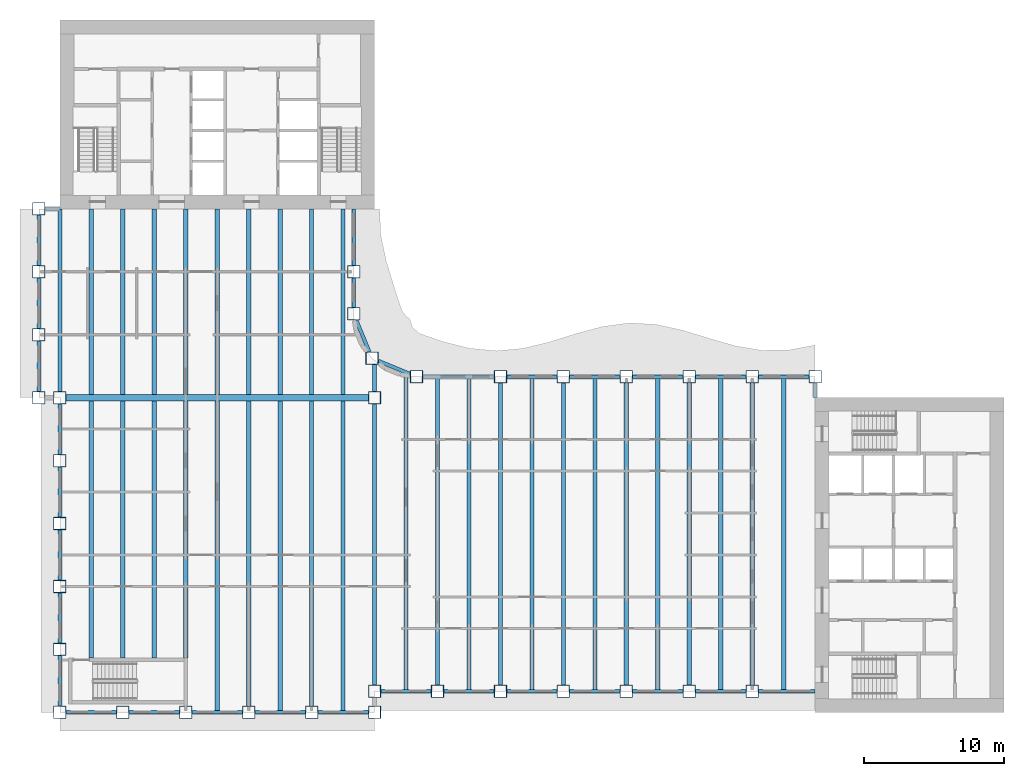
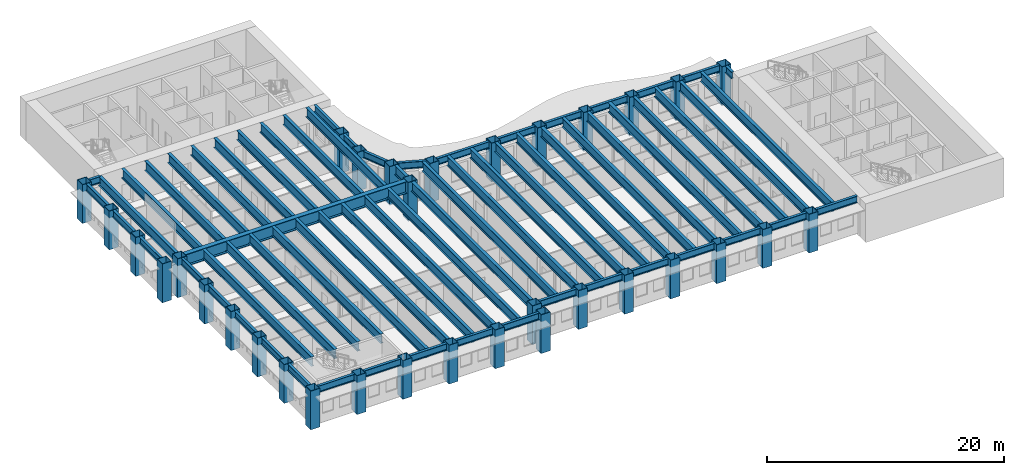
# One storey, part 1 of 16: 67 beams, 33 columns.
"""IFC4 building model written with IfcOpenShell, lengths in metres."""

from ifc_helpers import new_model, si_unit, direction, frame, origin, origin_2d, place, context, subcontext, project, spatial, hollow_rectangle, i_section, extrude, material, material_profile, profile_set, type_object, element, save


model = new_model("IFC4")

# Units and contexts
model_context = context("Model", 3, precision=1e-05, world=origin(), true_north=direction((0.0, 1.0)))
body_context = subcontext(model_context, "Body", "Model", "MODEL_VIEW")
ifc_project = project(units=[si_unit("LENGTHUNIT", "METRE"), si_unit("AREAUNIT", "SQUARE_METRE"), si_unit("VOLUMEUNIT", "CUBIC_METRE"), si_unit("PLANEANGLEUNIT", "RADIAN"), si_unit("MASSUNIT", "GRAM", prefix="KILO")], contexts=[model_context])

# Site, building, storey
site_placement = place(None, origin())
site = spatial("IfcSite", under=ifc_project, at=site_placement, CompositionType="ELEMENT")
building_placement = place(site_placement, origin())
building = spatial("IfcBuilding", under=site, at=building_placement, Name="Sennacour Bend Tower", CompositionType="ELEMENT")
storey_placement = place(building_placement, frame((0.0, 0.0, 167.0)))
storey = spatial("IfcBuildingStorey", under=building, at=storey_placement, Name="L38", CompositionType="ELEMENT", Elevation=167.0)

# Columns
ifc_material_1 = material(Name="Steel ASTM A572 Grade 50", Category="steel")
ifc_material_profile_1 = material_profile(ifc_material_1, hollow_rectangle(XDim=0.89990234375, YDim=0.89990234375, WallThickness=0.044921875, at=origin_2d()), Name="Steel ASTM A572 Grade 50", Category="steel")
ifc_profile_set_1 = profile_set([ifc_material_profile_1], Name="Steel ASTM A572 Grade 50")
column_type = type_object("IfcColumnType", Name="Box column 900", PredefinedType="COLUMN", material=ifc_profile_set_1)
for number, where, z_axis, x_axis, name in (
    (1, (-1.5, 22.5, -0.14990234375), (0.0, 0.0, 1.0), (1.0, 0.0, 0.0), "Perimeter column C3 L38-001"),
    (2, (-1.5, 27.0, -0.14990234375), (0.0, 0.0, 1.0), (1.0, 0.0, 0.0), "Perimeter column C3 L38-002"),
    (3, (-1.5, 31.5, -0.14990234375), (0.0, 0.0, 1.0), (1.0, 0.0, 0.0), "Perimeter column C3 L38-003"),
    (4, (-1.5, 36.0, -0.14990234375), (0.0, 0.0, 1.0), (1.0, 0.0, 0.0), "Perimeter column C3 L38-004"),
    (5, (0.0, 0.0, -0.14990234375), (0.0, 0.0, 1.0), (1.0, 0.0, 0.0), "Perimeter column C3 L38-005"),
    (6, (0.0, 4.5, -0.14990234375), (0.0, 0.0, 1.0), (1.0, 0.0, 0.0), "Perimeter column C3 L38-006"),
    (7, (0.0, 9.0, -0.14990234375), (0.0, 0.0, 1.0), (1.0, 0.0, 0.0), "Perimeter column C3 L38-007"),
    (8, (0.0, 13.5, -0.14990234375), (0.0, 0.0, 1.0), (1.0, 0.0, 0.0), "Perimeter column C3 L38-008"),
    (9, (0.0, 18.0, -0.14990234375), (0.0, 0.0, 1.0), (1.0, 0.0, 0.0), "Perimeter column C3 L38-009"),
    (10, (0.0, 22.5, -0.14990234375), (0.0, 0.0, 1.0), (1.0, 0.0, 0.0), "Perimeter column C3 L38-010"),
    (11, (4.5, 0.0, -0.14990234375), (0.0, 0.0, 1.0), (1.0, 0.0, 0.0), "Perimeter column C3 L38-011"),
    (12, (9.0, 0.0, -0.14990234375), (0.0, 0.0, 1.0), (1.0, 0.0, 0.0), "Perimeter column C3 L38-012"),
    (13, (13.5, 0.0, -0.14990234375), (0.0, 0.0, 1.0), (1.0, 0.0, 0.0), "Perimeter column C3 L38-013"),
    (14, (18.0, 0.0, -0.14990234375), (0.0, 0.0, 1.0), (1.0, 0.0, 0.0), "Perimeter column C3 L38-014"),
    (15, (21.0, 28.5, -0.14990234375), (0.0, 0.0, 1.0), (1.0, 0.0, 0.0), "Perimeter column C3 L38-015"),
    (16, (21.0, 31.5, -0.14990234375), (0.0, 0.0, 1.0), (1.0, 0.0, 0.0), "Perimeter column C3 L38-016"),
    (17, (22.318115234375, 25.318115234375, -0.14990234375), (0.0, 0.0, 1.0), (1.0, 0.0, 0.0), "Perimeter column C3 L38-017"),
    (18, (22.5, 0.0, -0.14990234375), (0.0, 0.0, 1.0), (1.0, 0.0, 0.0), "Perimeter column C3 L38-018"),
    (19, (22.5, 1.5, -0.14990234375), (0.0, 0.0, 1.0), (1.0, 0.0, 0.0), "Perimeter column C3 L38-019"),
    (20, (22.5, 22.5, -0.14990234375), (0.0, 0.0, 1.0), (1.0, 0.0, 0.0), "Knuckle column C3 L38-020"),
    (21, (25.5, 24.0, -0.14990234375), (0.0, 0.0, 1.0), (1.0, 0.0, 0.0), "Perimeter column C3 L38-021"),
    (22, (27.0, 1.5, -0.14990234375), (0.0, 0.0, 1.0), (1.0, 0.0, 0.0), "Perimeter column C3 L38-022"),
    (23, (31.5, 1.5, -0.14990234375), (0.0, 0.0, 1.0), (1.0, 0.0, 0.0), "Perimeter column C3 L38-023"),
    (24, (31.5, 24.0, -0.14990234375), (0.0, 0.0, 1.0), (1.0, 0.0, 0.0), "Perimeter column C3 L38-024"),
    (25, (36.0, 1.5, -0.14990234375), (0.0, 0.0, 1.0), (1.0, 0.0, 0.0), "Perimeter column C3 L38-025"),
    (26, (36.0, 24.0, -0.14990234375), (0.0, 0.0, 1.0), (1.0, 0.0, 0.0), "Perimeter column C3 L38-026"),
    (27, (40.5, 1.5, -0.14990234375), (0.0, 0.0, 1.0), (1.0, 0.0, 0.0), "Perimeter column C3 L38-027"),
    (28, (40.5, 24.0, -0.14990234375), (0.0, 0.0, 1.0), (1.0, 0.0, 0.0), "Perimeter column C3 L38-028"),
    (29, (45.0, 1.5, -0.14990234375), (0.0, 0.0, 1.0), (1.0, 0.0, 0.0), "Perimeter column C3 L38-029"),
    (30, (45.0, 24.0, -0.14990234375), (0.0, 0.0, 1.0), (1.0, 0.0, 0.0), "Perimeter column C3 L38-030"),
    (31, (49.5, 1.5, -0.14990234375), (0.0, 0.0, 1.0), (1.0, 0.0, 0.0), "Perimeter column C3 L38-031"),
    (32, (49.5, 24.0, -0.14990234375), (0.0, 0.0, 1.0), (1.0, 0.0, 0.0), "Perimeter column C3 L38-032"),
    (33, (54.0, 24.0, -0.14990234375), (0.0, 0.0, 1.0), (1.0, 0.0, 0.0), "Perimeter column C3 L38-033"),
):
    element("IfcColumn", number, at=place(storey_placement, frame(where, z_axis=z_axis, x_axis=x_axis)), inside=storey, type_object=column_type, Name=name, PredefinedType="COLUMN", context=body_context, shape_type="SweptSolid", body=[
        extrude(hollow_rectangle(XDim=0.89990234375, YDim=0.89990234375, WallThickness=0.044921875, at=origin_2d()), origin(), (0.0, 0.0, 1.0), 4.0),
    ])

# Beams
ifc_material_2 = material(Name="Steel ASTM A992 Grade 50", Category="steel")
ifc_material_profile_2 = material_profile(ifc_material_2, i_section(OverallWidth=0.300048828125, OverallDepth=0.97998046875, WebThickness=0.0166015625, FlangeThickness=0.026123046875, FilletRadius=0.02978515625, at=origin_2d()), Name="Steel ASTM A992 Grade 50", Category="steel")
ifc_profile_set_2 = profile_set([ifc_material_profile_2], Name="Steel ASTM A992 Grade 50")
beam_type_1 = type_object("IfcBeamType", Name="Floor beam W1000X249", PredefinedType="BEAM", material=ifc_profile_set_2)
beam_1_placement = place(storey_placement, frame((0.0, 22.949951171875, 3.360107421875), z_axis=(0.0, 1.0, 0.0), x_axis=(-1.0, 0.0, 0.0)))
element("IfcBeam", 34, at=beam_1_placement, inside=storey, type_object=beam_type_1, Name="Floor beam FBM2 L39-001", PredefinedType="BEAM", context=body_context, shape_type="SweptSolid", body=[
    extrude(i_section(OverallWidth=0.300048828125, OverallDepth=0.97998046875, WebThickness=0.0166015625, FlangeThickness=0.026123046875, FilletRadius=0.02978515625, at=origin_2d()), origin(), (0.0, 0.0, 1.0), 13.050048828125),
])
beam_2_placement = place(storey_placement, frame((2.25, 3.875, 3.360107421875), z_axis=(0.0, 1.0, 0.0), x_axis=(-1.0, 0.0, 0.0)))
element("IfcBeam", 35, at=beam_2_placement, inside=storey, type_object=beam_type_1, Name="Floor beam FBM2 L39-002", PredefinedType="BEAM", context=body_context, shape_type="SweptSolid", body=[
    extrude(i_section(OverallWidth=0.300048828125, OverallDepth=0.97998046875, WebThickness=0.0166015625, FlangeThickness=0.026123046875, FilletRadius=0.02978515625, at=origin_2d()), origin(), (0.0, 0.0, 1.0), 18.39990234375),
])
beam_3_placement = place(storey_placement, frame((2.25, 22.72509765625, 3.360107421875), z_axis=(0.0, 1.0, 0.0), x_axis=(-1.0, 0.0, 0.0)))
element("IfcBeam", 36, at=beam_3_placement, inside=storey, type_object=beam_type_1, Name="Floor beam FBM2 L39-003", PredefinedType="BEAM", context=body_context, shape_type="SweptSolid", body=[
    extrude(i_section(OverallWidth=0.300048828125, OverallDepth=0.97998046875, WebThickness=0.0166015625, FlangeThickness=0.026123046875, FilletRadius=0.02978515625, at=origin_2d()), origin(), (0.0, 0.0, 1.0), 13.27490234375),
])
beam_4_placement = place(storey_placement, frame((4.5, 3.875, 3.360107421875), z_axis=(0.0, 1.0, 0.0), x_axis=(-1.0, 0.0, 0.0)))
element("IfcBeam", 37, at=beam_4_placement, inside=storey, type_object=beam_type_1, Name="Floor beam FBM2 L39-004", PredefinedType="BEAM", context=body_context, shape_type="SweptSolid", body=[
    extrude(i_section(OverallWidth=0.300048828125, OverallDepth=0.97998046875, WebThickness=0.0166015625, FlangeThickness=0.026123046875, FilletRadius=0.02978515625, at=origin_2d()), origin(), (0.0, 0.0, 1.0), 18.39990234375),
])
beam_5_placement = place(storey_placement, frame((4.5, 22.72509765625, 3.360107421875), z_axis=(0.0, 1.0, 0.0), x_axis=(-1.0, 0.0, 0.0)))
element("IfcBeam", 38, at=beam_5_placement, inside=storey, type_object=beam_type_1, Name="Floor beam FBM2 L39-005", PredefinedType="BEAM", context=body_context, shape_type="SweptSolid", body=[
    extrude(i_section(OverallWidth=0.300048828125, OverallDepth=0.97998046875, WebThickness=0.0166015625, FlangeThickness=0.026123046875, FilletRadius=0.02978515625, at=origin_2d()), origin(), (0.0, 0.0, 1.0), 13.27490234375),
])
beam_6_placement = place(storey_placement, frame((6.75, 3.875, 3.360107421875), z_axis=(0.0, 1.0, 0.0), x_axis=(-1.0, 0.0, 0.0)))
element("IfcBeam", 39, at=beam_6_placement, inside=storey, type_object=beam_type_1, Name="Floor beam FBM2 L39-006", PredefinedType="BEAM", context=body_context, shape_type="SweptSolid", body=[
    extrude(i_section(OverallWidth=0.300048828125, OverallDepth=0.97998046875, WebThickness=0.0166015625, FlangeThickness=0.026123046875, FilletRadius=0.02978515625, at=origin_2d()), origin(), (0.0, 0.0, 1.0), 18.39990234375),
])
beam_7_placement = place(storey_placement, frame((6.75, 22.72509765625, 3.360107421875), z_axis=(0.0, 1.0, 0.0), x_axis=(-1.0, 0.0, 0.0)))
element("IfcBeam", 40, at=beam_7_placement, inside=storey, type_object=beam_type_1, Name="Floor beam FBM2 L39-007", PredefinedType="BEAM", context=body_context, shape_type="SweptSolid", body=[
    extrude(i_section(OverallWidth=0.300048828125, OverallDepth=0.97998046875, WebThickness=0.0166015625, FlangeThickness=0.026123046875, FilletRadius=0.02978515625, at=origin_2d()), origin(), (0.0, 0.0, 1.0), 13.27490234375),
])
beam_8_placement = place(storey_placement, frame((9.0, 3.875, 3.360107421875), z_axis=(0.0, 1.0, 0.0), x_axis=(-1.0, 0.0, 0.0)))
element("IfcBeam", 41, at=beam_8_placement, inside=storey, type_object=beam_type_1, Name="Floor beam FBM2 L39-008", PredefinedType="BEAM", context=body_context, shape_type="SweptSolid", body=[
    extrude(i_section(OverallWidth=0.300048828125, OverallDepth=0.97998046875, WebThickness=0.0166015625, FlangeThickness=0.026123046875, FilletRadius=0.02978515625, at=origin_2d()), origin(), (0.0, 0.0, 1.0), 18.39990234375),
])
beam_9_placement = place(storey_placement, frame((9.0, 22.72509765625, 3.360107421875), z_axis=(0.0, 1.0, 0.0), x_axis=(-1.0, 0.0, 0.0)))
element("IfcBeam", 42, at=beam_9_placement, inside=storey, type_object=beam_type_1, Name="Floor beam FBM2 L39-009", PredefinedType="BEAM", context=body_context, shape_type="SweptSolid", body=[
    extrude(i_section(OverallWidth=0.300048828125, OverallDepth=0.97998046875, WebThickness=0.0166015625, FlangeThickness=0.026123046875, FilletRadius=0.02978515625, at=origin_2d()), origin(), (0.0, 0.0, 1.0), 13.27490234375),
])
beam_10_placement = place(storey_placement, frame((11.25, 0.126953125, 3.360107421875), z_axis=(0.0, 1.0, 0.0), x_axis=(-1.0, 0.0, 0.0)))
element("IfcBeam", 43, at=beam_10_placement, inside=storey, type_object=beam_type_1, Name="Floor beam FBM2 L39-010", PredefinedType="BEAM", context=body_context, shape_type="SweptSolid", body=[
    extrude(i_section(OverallWidth=0.300048828125, OverallDepth=0.97998046875, WebThickness=0.0166015625, FlangeThickness=0.026123046875, FilletRadius=0.02978515625, at=origin_2d()), origin(), (0.0, 0.0, 1.0), 22.14794921875),
])
beam_11_placement = place(storey_placement, frame((11.25, 22.72509765625, 3.360107421875), z_axis=(0.0, 1.0, 0.0), x_axis=(-1.0, 0.0, 0.0)))
element("IfcBeam", 44, at=beam_11_placement, inside=storey, type_object=beam_type_1, Name="Floor beam FBM2 L39-011", PredefinedType="BEAM", context=body_context, shape_type="SweptSolid", body=[
    extrude(i_section(OverallWidth=0.300048828125, OverallDepth=0.97998046875, WebThickness=0.0166015625, FlangeThickness=0.026123046875, FilletRadius=0.02978515625, at=origin_2d()), origin(), (0.0, 0.0, 1.0), 13.27490234375),
])
beam_12_placement = place(storey_placement, frame((13.5, 0.449951171875, 3.360107421875), z_axis=(0.0, 1.0, 0.0), x_axis=(-1.0, 0.0, 0.0)))
element("IfcBeam", 45, at=beam_12_placement, inside=storey, type_object=beam_type_1, Name="Floor beam FBM2 L39-012", PredefinedType="BEAM", context=body_context, shape_type="SweptSolid", body=[
    extrude(i_section(OverallWidth=0.300048828125, OverallDepth=0.97998046875, WebThickness=0.0166015625, FlangeThickness=0.026123046875, FilletRadius=0.02978515625, at=origin_2d()), origin(), (0.0, 0.0, 1.0), 21.824951171875),
])
beam_13_placement = place(storey_placement, frame((13.5, 22.72509765625, 3.360107421875), z_axis=(0.0, 1.0, 0.0), x_axis=(-1.0, 0.0, 0.0)))
element("IfcBeam", 46, at=beam_13_placement, inside=storey, type_object=beam_type_1, Name="Floor beam FBM2 L39-013", PredefinedType="BEAM", context=body_context, shape_type="SweptSolid", body=[
    extrude(i_section(OverallWidth=0.300048828125, OverallDepth=0.97998046875, WebThickness=0.0166015625, FlangeThickness=0.026123046875, FilletRadius=0.02978515625, at=origin_2d()), origin(), (0.0, 0.0, 1.0), 13.27490234375),
])
beam_14_placement = place(storey_placement, frame((15.75, 0.126953125, 3.360107421875), z_axis=(0.0, 1.0, 0.0), x_axis=(-1.0, 0.0, 0.0)))
element("IfcBeam", 47, at=beam_14_placement, inside=storey, type_object=beam_type_1, Name="Floor beam FBM2 L39-014", PredefinedType="BEAM", context=body_context, shape_type="SweptSolid", body=[
    extrude(i_section(OverallWidth=0.300048828125, OverallDepth=0.97998046875, WebThickness=0.0166015625, FlangeThickness=0.026123046875, FilletRadius=0.02978515625, at=origin_2d()), origin(), (0.0, 0.0, 1.0), 22.14794921875),
])
beam_15_placement = place(storey_placement, frame((15.75, 22.72509765625, 3.360107421875), z_axis=(0.0, 1.0, 0.0), x_axis=(-1.0, 0.0, 0.0)))
element("IfcBeam", 48, at=beam_15_placement, inside=storey, type_object=beam_type_1, Name="Floor beam FBM2 L39-015", PredefinedType="BEAM", context=body_context, shape_type="SweptSolid", body=[
    extrude(i_section(OverallWidth=0.300048828125, OverallDepth=0.97998046875, WebThickness=0.0166015625, FlangeThickness=0.026123046875, FilletRadius=0.02978515625, at=origin_2d()), origin(), (0.0, 0.0, 1.0), 13.27490234375),
])
beam_16_placement = place(storey_placement, frame((18.0, 0.449951171875, 3.360107421875), z_axis=(0.0, 1.0, 0.0), x_axis=(-1.0, 0.0, 0.0)))
element("IfcBeam", 49, at=beam_16_placement, inside=storey, type_object=beam_type_1, Name="Floor beam FBM2 L39-016", PredefinedType="BEAM", context=body_context, shape_type="SweptSolid", body=[
    extrude(i_section(OverallWidth=0.300048828125, OverallDepth=0.97998046875, WebThickness=0.0166015625, FlangeThickness=0.026123046875, FilletRadius=0.02978515625, at=origin_2d()), origin(), (0.0, 0.0, 1.0), 21.824951171875),
])
beam_17_placement = place(storey_placement, frame((18.0, 22.72509765625, 3.360107421875), z_axis=(0.0, 1.0, 0.0), x_axis=(-1.0, 0.0, 0.0)))
element("IfcBeam", 50, at=beam_17_placement, inside=storey, type_object=beam_type_1, Name="Floor beam FBM2 L39-017", PredefinedType="BEAM", context=body_context, shape_type="SweptSolid", body=[
    extrude(i_section(OverallWidth=0.300048828125, OverallDepth=0.97998046875, WebThickness=0.0166015625, FlangeThickness=0.026123046875, FilletRadius=0.02978515625, at=origin_2d()), origin(), (0.0, 0.0, 1.0), 13.27490234375),
])
beam_18_placement = place(storey_placement, frame((20.25, 0.126953125, 3.360107421875), z_axis=(0.0, 1.0, 0.0), x_axis=(-1.0, 0.0, 0.0)))
element("IfcBeam", 51, at=beam_18_placement, inside=storey, type_object=beam_type_1, Name="Floor beam FBM2 L39-018", PredefinedType="BEAM", context=body_context, shape_type="SweptSolid", body=[
    extrude(i_section(OverallWidth=0.300048828125, OverallDepth=0.97998046875, WebThickness=0.0166015625, FlangeThickness=0.026123046875, FilletRadius=0.02978515625, at=origin_2d()), origin(), (0.0, 0.0, 1.0), 22.14794921875),
])
beam_19_placement = place(storey_placement, frame((20.25, 22.72509765625, 3.360107421875), z_axis=(0.0, 1.0, 0.0), x_axis=(-1.0, 0.0, 0.0)))
element("IfcBeam", 52, at=beam_19_placement, inside=storey, type_object=beam_type_1, Name="Floor beam FBM2 L39-019", PredefinedType="BEAM", context=body_context, shape_type="SweptSolid", body=[
    extrude(i_section(OverallWidth=0.300048828125, OverallDepth=0.97998046875, WebThickness=0.0166015625, FlangeThickness=0.026123046875, FilletRadius=0.02978515625, at=origin_2d()), origin(), (0.0, 0.0, 1.0), 13.27490234375),
])
beam_20_placement = place(storey_placement, frame((22.5, 1.949951171875, 3.360107421875), z_axis=(0.0, 1.0, 0.0), x_axis=(-1.0, 0.0, 0.0)))
element("IfcBeam", 53, at=beam_20_placement, inside=storey, type_object=beam_type_1, Name="Floor beam FBM2 L39-020", PredefinedType="BEAM", context=body_context, shape_type="SweptSolid", body=[
    extrude(i_section(OverallWidth=0.300048828125, OverallDepth=0.97998046875, WebThickness=0.0166015625, FlangeThickness=0.026123046875, FilletRadius=0.02978515625, at=origin_2d()), origin(), (0.0, 0.0, 1.0), 20.10009765625),
])
beam_21_placement = place(storey_placement, frame((22.5, 22.949951171875, 3.360107421875), z_axis=(0.0, 1.0, 0.0), x_axis=(-1.0, 0.0, 0.0)))
element("IfcBeam", 54, at=beam_21_placement, inside=storey, type_object=beam_type_1, Name="Floor beam FBM2 L39-021", PredefinedType="BEAM", context=body_context, shape_type="SweptSolid", body=[
    extrude(i_section(OverallWidth=0.300048828125, OverallDepth=0.97998046875, WebThickness=0.0166015625, FlangeThickness=0.026123046875, FilletRadius=0.02978515625, at=origin_2d()), origin(), (0.0, 0.0, 1.0), 1.91796875),
])
beam_22_placement = place(storey_placement, frame((24.75, 1.626953125, 3.360107421875), z_axis=(0.0, 1.0, 0.0), x_axis=(-1.0, 0.0, 0.0)))
element("IfcBeam", 55, at=beam_22_placement, inside=storey, type_object=beam_type_1, Name="Floor beam FBM2 L39-022", PredefinedType="BEAM", context=body_context, shape_type="SweptSolid", body=[
    extrude(i_section(OverallWidth=0.300048828125, OverallDepth=0.97998046875, WebThickness=0.0166015625, FlangeThickness=0.026123046875, FilletRadius=0.02978515625, at=origin_2d()), origin(), (0.0, 0.0, 1.0), 22.546142578125),
])
beam_23_placement = place(storey_placement, frame((27.0, 1.949951171875, 3.360107421875), z_axis=(0.0, 1.0, 0.0), x_axis=(-1.0, 0.0, 0.0)))
element("IfcBeam", 56, at=beam_23_placement, inside=storey, type_object=beam_type_1, Name="Floor beam FBM2 L39-023", PredefinedType="BEAM", context=body_context, shape_type="SweptSolid", body=[
    extrude(i_section(OverallWidth=0.300048828125, OverallDepth=0.97998046875, WebThickness=0.0166015625, FlangeThickness=0.026123046875, FilletRadius=0.02978515625, at=origin_2d()), origin(), (0.0, 0.0, 1.0), 21.923095703125),
])
beam_24_placement = place(storey_placement, frame((29.25, 1.626953125, 3.360107421875), z_axis=(0.0, 1.0, 0.0), x_axis=(-1.0, 0.0, 0.0)))
element("IfcBeam", 57, at=beam_24_placement, inside=storey, type_object=beam_type_1, Name="Floor beam FBM2 L39-024", PredefinedType="BEAM", context=body_context, shape_type="SweptSolid", body=[
    extrude(i_section(OverallWidth=0.300048828125, OverallDepth=0.97998046875, WebThickness=0.0166015625, FlangeThickness=0.026123046875, FilletRadius=0.02978515625, at=origin_2d()), origin(), (0.0, 0.0, 1.0), 22.24609375),
])
beam_25_placement = place(storey_placement, frame((31.5, 1.949951171875, 3.360107421875), z_axis=(0.0, 1.0, 0.0), x_axis=(-1.0, 0.0, 0.0)))
element("IfcBeam", 58, at=beam_25_placement, inside=storey, type_object=beam_type_1, Name="Floor beam FBM2 L39-025", PredefinedType="BEAM", context=body_context, shape_type="SweptSolid", body=[
    extrude(i_section(OverallWidth=0.300048828125, OverallDepth=0.97998046875, WebThickness=0.0166015625, FlangeThickness=0.026123046875, FilletRadius=0.02978515625, at=origin_2d()), origin(), (0.0, 0.0, 1.0), 21.60009765625),
])
beam_26_placement = place(storey_placement, frame((33.75, 1.626953125, 3.360107421875), z_axis=(0.0, 1.0, 0.0), x_axis=(-1.0, 0.0, 0.0)))
element("IfcBeam", 59, at=beam_26_placement, inside=storey, type_object=beam_type_1, Name="Floor beam FBM2 L39-026", PredefinedType="BEAM", context=body_context, shape_type="SweptSolid", body=[
    extrude(i_section(OverallWidth=0.300048828125, OverallDepth=0.97998046875, WebThickness=0.0166015625, FlangeThickness=0.026123046875, FilletRadius=0.02978515625, at=origin_2d()), origin(), (0.0, 0.0, 1.0), 22.24609375),
])
beam_27_placement = place(storey_placement, frame((36.0, 1.949951171875, 3.360107421875), z_axis=(0.0, 1.0, 0.0), x_axis=(-1.0, 0.0, 0.0)))
element("IfcBeam", 60, at=beam_27_placement, inside=storey, type_object=beam_type_1, Name="Floor beam FBM2 L39-027", PredefinedType="BEAM", context=body_context, shape_type="SweptSolid", body=[
    extrude(i_section(OverallWidth=0.300048828125, OverallDepth=0.97998046875, WebThickness=0.0166015625, FlangeThickness=0.026123046875, FilletRadius=0.02978515625, at=origin_2d()), origin(), (0.0, 0.0, 1.0), 21.60009765625),
])
beam_28_placement = place(storey_placement, frame((38.25, 1.626953125, 3.360107421875), z_axis=(0.0, 1.0, 0.0), x_axis=(-1.0, 0.0, 0.0)))
element("IfcBeam", 61, at=beam_28_placement, inside=storey, type_object=beam_type_1, Name="Floor beam FBM2 L39-028", PredefinedType="BEAM", context=body_context, shape_type="SweptSolid", body=[
    extrude(i_section(OverallWidth=0.300048828125, OverallDepth=0.97998046875, WebThickness=0.0166015625, FlangeThickness=0.026123046875, FilletRadius=0.02978515625, at=origin_2d()), origin(), (0.0, 0.0, 1.0), 22.24609375),
])
beam_29_placement = place(storey_placement, frame((40.5, 1.949951171875, 3.360107421875), z_axis=(0.0, 1.0, 0.0), x_axis=(-1.0, 0.0, 0.0)))
element("IfcBeam", 62, at=beam_29_placement, inside=storey, type_object=beam_type_1, Name="Floor beam FBM2 L39-029", PredefinedType="BEAM", context=body_context, shape_type="SweptSolid", body=[
    extrude(i_section(OverallWidth=0.300048828125, OverallDepth=0.97998046875, WebThickness=0.0166015625, FlangeThickness=0.026123046875, FilletRadius=0.02978515625, at=origin_2d()), origin(), (0.0, 0.0, 1.0), 21.60009765625),
])
beam_30_placement = place(storey_placement, frame((42.75, 1.626953125, 3.360107421875), z_axis=(0.0, 1.0, 0.0), x_axis=(-1.0, 0.0, 0.0)))
element("IfcBeam", 63, at=beam_30_placement, inside=storey, type_object=beam_type_1, Name="Floor beam FBM2 L39-030", PredefinedType="BEAM", context=body_context, shape_type="SweptSolid", body=[
    extrude(i_section(OverallWidth=0.300048828125, OverallDepth=0.97998046875, WebThickness=0.0166015625, FlangeThickness=0.026123046875, FilletRadius=0.02978515625, at=origin_2d()), origin(), (0.0, 0.0, 1.0), 22.24609375),
])
beam_31_placement = place(storey_placement, frame((45.0, 1.949951171875, 3.360107421875), z_axis=(0.0, 1.0, 0.0), x_axis=(-1.0, 0.0, 0.0)))
element("IfcBeam", 64, at=beam_31_placement, inside=storey, type_object=beam_type_1, Name="Floor beam FBM2 L39-031", PredefinedType="BEAM", context=body_context, shape_type="SweptSolid", body=[
    extrude(i_section(OverallWidth=0.300048828125, OverallDepth=0.97998046875, WebThickness=0.0166015625, FlangeThickness=0.026123046875, FilletRadius=0.02978515625, at=origin_2d()), origin(), (0.0, 0.0, 1.0), 21.60009765625),
])
beam_32_placement = place(storey_placement, frame((47.25, 1.626953125, 3.360107421875), z_axis=(0.0, 1.0, 0.0), x_axis=(-1.0, 0.0, 0.0)))
element("IfcBeam", 65, at=beam_32_placement, inside=storey, type_object=beam_type_1, Name="Floor beam FBM2 L39-032", PredefinedType="BEAM", context=body_context, shape_type="SweptSolid", body=[
    extrude(i_section(OverallWidth=0.300048828125, OverallDepth=0.97998046875, WebThickness=0.0166015625, FlangeThickness=0.026123046875, FilletRadius=0.02978515625, at=origin_2d()), origin(), (0.0, 0.0, 1.0), 22.24609375),
])
beam_33_placement = place(storey_placement, frame((49.5, 1.949951171875, 3.360107421875), z_axis=(0.0, 1.0, 0.0), x_axis=(-1.0, 0.0, 0.0)))
element("IfcBeam", 66, at=beam_33_placement, inside=storey, type_object=beam_type_1, Name="Floor beam FBM2 L39-033", PredefinedType="BEAM", context=body_context, shape_type="SweptSolid", body=[
    extrude(i_section(OverallWidth=0.300048828125, OverallDepth=0.97998046875, WebThickness=0.0166015625, FlangeThickness=0.026123046875, FilletRadius=0.02978515625, at=origin_2d()), origin(), (0.0, 0.0, 1.0), 21.60009765625),
])
beam_34_placement = place(storey_placement, frame((51.75, 1.626953125, 3.360107421875), z_axis=(0.0, 1.0, 0.0), x_axis=(-1.0, 0.0, 0.0)))
element("IfcBeam", 67, at=beam_34_placement, inside=storey, type_object=beam_type_1, Name="Floor beam FBM2 L39-034", PredefinedType="BEAM", context=body_context, shape_type="SweptSolid", body=[
    extrude(i_section(OverallWidth=0.300048828125, OverallDepth=0.97998046875, WebThickness=0.0166015625, FlangeThickness=0.026123046875, FilletRadius=0.02978515625, at=origin_2d()), origin(), (0.0, 0.0, 1.0), 22.24609375),
])
ifc_material_profile_3 = material_profile(ifc_material_1, i_section(OverallWidth=0.449951171875, OverallDepth=1.25, WebThickness=0.028076171875, FlangeThickness=0.050048828125, at=origin_2d()), Name="Steel ASTM A572 Grade 50", Category="steel")
ifc_profile_set_3 = profile_set([ifc_material_profile_3], Name="Steel ASTM A572 Grade 50")
beam_type_2 = type_object("IfcBeamType", Name="Knuckle girder 1250", PredefinedType="USERDEFINED", material=ifc_profile_set_3)
beam_35_placement = place(storey_placement, frame((0.449951171875, 22.5, 3.22509765625), z_axis=(1.0, 0.0, 0.0), x_axis=(0.0, 1.0, 0.0)))
element("IfcBeam", 68, at=beam_35_placement, inside=storey, type_object=beam_type_2, Name="Knuckle girder GK L39-001", ObjectType="KNUCKLE GIRDER", PredefinedType="USERDEFINED", context=body_context, shape_type="SweptSolid", body=[
    extrude(i_section(OverallWidth=0.449951171875, OverallDepth=1.25, WebThickness=0.028076171875, FlangeThickness=0.050048828125, at=origin_2d()), origin(), (0.0, 0.0, 1.0), 21.60009765625),
])
ifc_material_profile_4 = material_profile(ifc_material_2, i_section(OverallWidth=0.25390625, OverallDepth=0.700927734375, WebThickness=0.015380859375, FlangeThickness=0.02783203125, FilletRadius=0.015380859375, at=origin_2d()), Name="Steel ASTM A992 Grade 50", Category="steel")
ifc_profile_set_4 = profile_set([ifc_material_profile_4], Name="Steel ASTM A992 Grade 50")
beam_type_3 = type_object("IfcBeamType", Name="Spandrel beam W690X192", PredefinedType="SPANDREL", material=ifc_profile_set_4)
for number, where, z_axis, x_axis, name in (
    (69, (0.0, 0.449951171875, 3.49951171875), (0.0, 1.0, 0.0), (-1.0, 0.0, 0.0), "Spandrel beam SP4 L39-001"),
    (70, (0.0, 4.949951171875, 3.49951171875), (0.0, 1.0, 0.0), (-1.0, 0.0, 0.0), "Spandrel beam SP4 L39-002"),
    (71, (0.0, 9.449951171875, 3.49951171875), (0.0, 1.0, 0.0), (-1.0, 0.0, 0.0), "Spandrel beam SP4 L39-003"),
    (72, (0.0, 13.949951171875, 3.49951171875), (0.0, 1.0, 0.0), (-1.0, 0.0, 0.0), "Spandrel beam SP4 L39-004"),
    (73, (0.0, 18.449951171875, 3.49951171875), (0.0, 1.0, 0.0), (-1.0, 0.0, 0.0), "Spandrel beam SP4 L39-005"),
    (74, (-1.5, 22.949951171875, 3.49951171875), (0.0, 1.0, 0.0), (-1.0, 0.0, 0.0), "Spandrel beam SP4 L39-006"),
    (75, (-1.5, 27.449951171875, 3.49951171875), (0.0, 1.0, 0.0), (-1.0, 0.0, 0.0), "Spandrel beam SP4 L39-007"),
    (76, (-1.5, 31.949951171875, 3.49951171875), (0.0, 1.0, 0.0), (-1.0, 0.0, 0.0), "Spandrel beam SP4 L39-008"),
):
    element("IfcBeam", number, at=place(storey_placement, frame(where, z_axis=z_axis, x_axis=x_axis)), inside=storey, type_object=beam_type_3, Name=name, PredefinedType="SPANDREL", context=body_context, shape_type="SweptSolid", body=[
        extrude(i_section(OverallWidth=0.25390625, OverallDepth=0.700927734375, WebThickness=0.015380859375, FlangeThickness=0.02783203125, FilletRadius=0.015380859375, at=origin_2d()), origin(), (0.0, 0.0, 1.0), 3.60009765625),
    ])
beam_36_placement = place(storey_placement, frame((-1.050048828125, 36.0, 3.49951171875), z_axis=(1.0, 0.0, 0.0), x_axis=(0.0, 1.0, 0.0)))
element("IfcBeam", 77, at=beam_36_placement, inside=storey, type_object=beam_type_3, Name="Spandrel beam SP4 L39-009", PredefinedType="SPANDREL", context=body_context, shape_type="SweptSolid", body=[
    extrude(i_section(OverallWidth=0.25390625, OverallDepth=0.700927734375, WebThickness=0.015380859375, FlangeThickness=0.02783203125, FilletRadius=0.015380859375, at=origin_2d()), origin(), (0.0, 0.0, 1.0), 1.050048828125),
])
beam_37_placement = place(storey_placement, frame((21.0, 36.0, 3.49951171875), z_axis=(0.0, -1.0, 0.0), x_axis=(1.0, 0.0, 0.0)))
element("IfcBeam", 78, at=beam_37_placement, inside=storey, type_object=beam_type_3, Name="Spandrel beam SP4 L39-010", PredefinedType="SPANDREL", context=body_context, shape_type="SweptSolid", body=[
    extrude(i_section(OverallWidth=0.25390625, OverallDepth=0.700927734375, WebThickness=0.015380859375, FlangeThickness=0.02783203125, FilletRadius=0.015380859375, at=origin_2d()), origin(), (0.0, 0.0, 1.0), 4.050048828125),
])
beam_38_placement = place(storey_placement, frame((21.0, 31.050048828125, 3.49951171875), z_axis=(0.0, -1.0, 0.0), x_axis=(1.0, 0.0, 0.0)))
element("IfcBeam", 79, at=beam_38_placement, inside=storey, type_object=beam_type_3, Name="Spandrel beam SP4 L39-011", PredefinedType="SPANDREL", context=body_context, shape_type="SweptSolid", body=[
    extrude(i_section(OverallWidth=0.25390625, OverallDepth=0.700927734375, WebThickness=0.015380859375, FlangeThickness=0.02783203125, FilletRadius=0.015380859375, at=origin_2d()), origin(), (0.0, 0.0, 1.0), 2.10009765625),
])
for number, where, z_axis, x_axis, name in (
    (80, (21.186279296875, 28.050048828125, 3.49951171875), (0.382712608723, -0.923867446728, 0.0), (0.923867446728, 0.382712608723, 0.0), "Spandrel beam SP4 L39-012"),
    (81, (22.76806640625, 25.131591796875, 3.49951171875), (0.923867446728, -0.382712608723, 0.0), (0.382712608723, 0.923867446728, 0.0), "Spandrel beam SP4 L39-013"),
):
    element("IfcBeam", number, at=place(storey_placement, frame(where, z_axis=z_axis, x_axis=x_axis)), inside=storey, type_object=beam_type_3, Name=name, PredefinedType="SPANDREL", context=body_context, shape_type="SweptSolid", body=[
        extrude(i_section(OverallWidth=0.25390625, OverallDepth=0.700927734375, WebThickness=0.015380859375, FlangeThickness=0.02783203125, FilletRadius=0.015380859375, at=origin_2d()), origin(), (0.0, 0.0, 1.0), 2.469970703125),
    ])
beam_39_placement = place(storey_placement, frame((25.949951171875, 24.0, 3.49951171875), z_axis=(1.0, 0.0, 0.0), x_axis=(0.0, 1.0, 0.0)))
element("IfcBeam", 82, at=beam_39_placement, inside=storey, type_object=beam_type_3, Name="Spandrel beam SP4 L39-014", PredefinedType="SPANDREL", context=body_context, shape_type="SweptSolid", body=[
    extrude(i_section(OverallWidth=0.25390625, OverallDepth=0.700927734375, WebThickness=0.015380859375, FlangeThickness=0.02783203125, FilletRadius=0.015380859375, at=origin_2d()), origin(), (0.0, 0.0, 1.0), 5.10009765625),
])
for number, where, z_axis, x_axis, name in (
    (83, (31.949951171875, 24.0, 3.49951171875), (1.0, 0.0, 0.0), (0.0, 1.0, 0.0), "Spandrel beam SP4 L39-015"),
    (84, (36.449951171875, 24.0, 3.49951171875), (1.0, 0.0, 0.0), (0.0, 1.0, 0.0), "Spandrel beam SP4 L39-016"),
    (85, (40.949951171875, 24.0, 3.49951171875), (1.0, 0.0, 0.0), (0.0, 1.0, 0.0), "Spandrel beam SP4 L39-017"),
    (86, (45.449951171875, 24.0, 3.49951171875), (1.0, 0.0, 0.0), (0.0, 1.0, 0.0), "Spandrel beam SP4 L39-018"),
    (87, (49.949951171875, 24.0, 3.49951171875), (1.0, 0.0, 0.0), (0.0, 1.0, 0.0), "Spandrel beam SP4 L39-019"),
):
    element("IfcBeam", number, at=place(storey_placement, frame(where, z_axis=z_axis, x_axis=x_axis)), inside=storey, type_object=beam_type_3, Name=name, PredefinedType="SPANDREL", context=body_context, shape_type="SweptSolid", body=[
        extrude(i_section(OverallWidth=0.25390625, OverallDepth=0.700927734375, WebThickness=0.015380859375, FlangeThickness=0.02783203125, FilletRadius=0.015380859375, at=origin_2d()), origin(), (0.0, 0.0, 1.0), 3.60009765625),
    ])
beam_40_placement = place(storey_placement, frame((54.0, 23.550048828125, 3.49951171875), z_axis=(0.0, -1.0, 0.0), x_axis=(1.0, 0.0, 0.0)))
element("IfcBeam", 88, at=beam_40_placement, inside=storey, type_object=beam_type_3, Name="Spandrel beam SP4 L39-020", PredefinedType="SPANDREL", context=body_context, shape_type="SweptSolid", body=[
    extrude(i_section(OverallWidth=0.25390625, OverallDepth=0.700927734375, WebThickness=0.015380859375, FlangeThickness=0.02783203125, FilletRadius=0.015380859375, at=origin_2d()), origin(), (0.0, 0.0, 1.0), 1.050048828125),
])
beam_41_placement = place(storey_placement, frame((54.0, 1.5, 3.49951171875), z_axis=(-1.0, 0.0, 0.0), x_axis=(0.0, -1.0, 0.0)))
element("IfcBeam", 89, at=beam_41_placement, inside=storey, type_object=beam_type_3, Name="Spandrel beam SP4 L39-021", PredefinedType="SPANDREL", context=body_context, shape_type="SweptSolid", body=[
    extrude(i_section(OverallWidth=0.25390625, OverallDepth=0.700927734375, WebThickness=0.015380859375, FlangeThickness=0.02783203125, FilletRadius=0.015380859375, at=origin_2d()), origin(), (0.0, 0.0, 1.0), 4.050048828125),
])
for number, where, z_axis, x_axis, name in (
    (90, (49.050048828125, 1.5, 3.49951171875), (-1.0, 0.0, 0.0), (0.0, -1.0, 0.0), "Spandrel beam SP4 L39-022"),
    (91, (44.550048828125, 1.5, 3.49951171875), (-1.0, 0.0, 0.0), (0.0, -1.0, 0.0), "Spandrel beam SP4 L39-023"),
    (92, (40.050048828125, 1.5, 3.49951171875), (-1.0, 0.0, 0.0), (0.0, -1.0, 0.0), "Spandrel beam SP4 L39-024"),
    (93, (35.550048828125, 1.5, 3.49951171875), (-1.0, 0.0, 0.0), (0.0, -1.0, 0.0), "Spandrel beam SP4 L39-025"),
    (94, (31.050048828125, 1.5, 3.49951171875), (-1.0, 0.0, 0.0), (0.0, -1.0, 0.0), "Spandrel beam SP4 L39-026"),
    (95, (26.550048828125, 1.5, 3.49951171875), (-1.0, 0.0, 0.0), (0.0, -1.0, 0.0), "Spandrel beam SP4 L39-027"),
    (96, (22.050048828125, 0.0, 3.49951171875), (-1.0, 0.0, 0.0), (0.0, -1.0, 0.0), "Spandrel beam SP4 L39-028"),
    (97, (17.550048828125, 0.0, 3.49951171875), (-1.0, 0.0, 0.0), (0.0, -1.0, 0.0), "Spandrel beam SP4 L39-029"),
    (98, (13.050048828125, 0.0, 3.49951171875), (-1.0, 0.0, 0.0), (0.0, -1.0, 0.0), "Spandrel beam SP4 L39-030"),
    (99, (8.550048828125, 0.0, 3.49951171875), (-1.0, 0.0, 0.0), (0.0, -1.0, 0.0), "Spandrel beam SP4 L39-031"),
    (100, (4.050048828125, 0.0, 3.49951171875), (-1.0, 0.0, 0.0), (0.0, -1.0, 0.0), "Spandrel beam SP4 L39-032"),
):
    element("IfcBeam", number, at=place(storey_placement, frame(where, z_axis=z_axis, x_axis=x_axis)), inside=storey, type_object=beam_type_3, Name=name, PredefinedType="SPANDREL", context=body_context, shape_type="SweptSolid", body=[
        extrude(i_section(OverallWidth=0.25390625, OverallDepth=0.700927734375, WebThickness=0.015380859375, FlangeThickness=0.02783203125, FilletRadius=0.015380859375, at=origin_2d()), origin(), (0.0, 0.0, 1.0), 3.60009765625),
    ])

save(model, "model.ifc")
